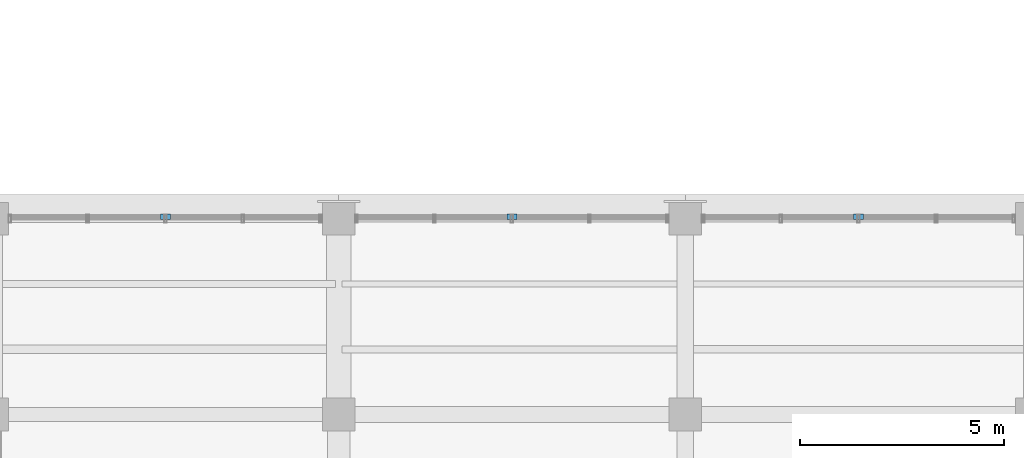
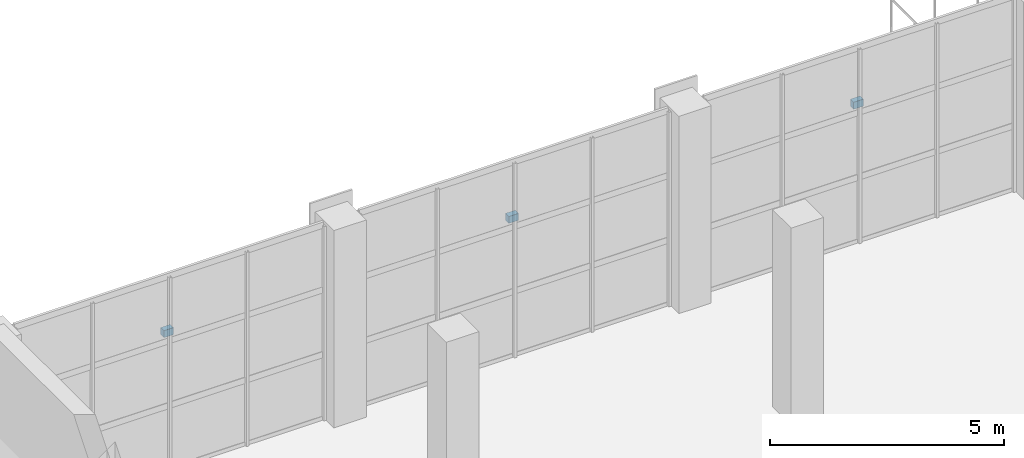
# One storey, part 73 of 90: 3 discrete accessories.
"""IFC4 building model written with IfcOpenShell, lengths in metres."""

from ifc_helpers import new_model, si_unit, direction, frame, origin, origin_2d, place, context, subcontext, project, spatial, rectangle, extrude, material, type_object, element, save


model = new_model("IFC4")

# Units and contexts
model_context = context("Model", 3, precision=1e-05, world=origin(), true_north=direction((0.0, 1.0)))
body_context = subcontext(model_context, "Body", "Model", "MODEL_VIEW")
ifc_project = project(units=[si_unit("LENGTHUNIT", "METRE"), si_unit("AREAUNIT", "SQUARE_METRE"), si_unit("VOLUMEUNIT", "CUBIC_METRE"), si_unit("PLANEANGLEUNIT", "RADIAN"), si_unit("MASSUNIT", "GRAM", prefix="KILO")], contexts=[model_context])

# Site, building, storey
site_placement = place(None, origin())
site = spatial("IfcSite", under=ifc_project, at=site_placement, CompositionType="ELEMENT")
building_placement = place(site_placement, origin())
building = spatial("IfcBuilding", under=site, at=building_placement, Name="Solvikara Media Centre", CompositionType="ELEMENT")
storey_placement = place(building_placement, origin())
storey = spatial("IfcBuildingStorey", under=building, at=storey_placement, Name="L00", CompositionType="ELEMENT", Elevation=0.0)

# Discrete accessories
ifc_material = material(Name="Steel S355JR", Category="steel")
discrete_accessory_type = type_object("IfcDiscreteAccessoryType", Name="BK-01", PredefinedType="BRACKET", material=ifc_material)
for number, where, z_axis, x_axis, name in (
    (1, (46.75, 36.85009765625, 3.51025390625), (0.0, 0.0, 1.0), (1.0, 0.0, 0.0), "BKL-L00-001"),
    (2, (55.25, 36.85009765625, 3.51025390625), (0.0, 0.0, 1.0), (1.0, 0.0, 0.0), "BKL-L00-002"),
    (3, (63.75, 36.85009765625, 3.51025390625), (0.0, 0.0, 1.0), (1.0, 0.0, 0.0), "BKL-L00-003"),
):
    element("IfcDiscreteAccessory", number, at=place(storey_placement, frame(where, z_axis=z_axis, x_axis=x_axis)), inside=storey, type_object=discrete_accessory_type, Name=name, PredefinedType="BRACKET", context=body_context, shape_type="SweptSolid", body=[
        extrude(rectangle(XDim=0.239990234375, YDim=0.139892578125, at=origin_2d()), origin(), (0.0, 0.0, 1.0), 0.179931640625),
    ])

save(model, "model.ifc")
